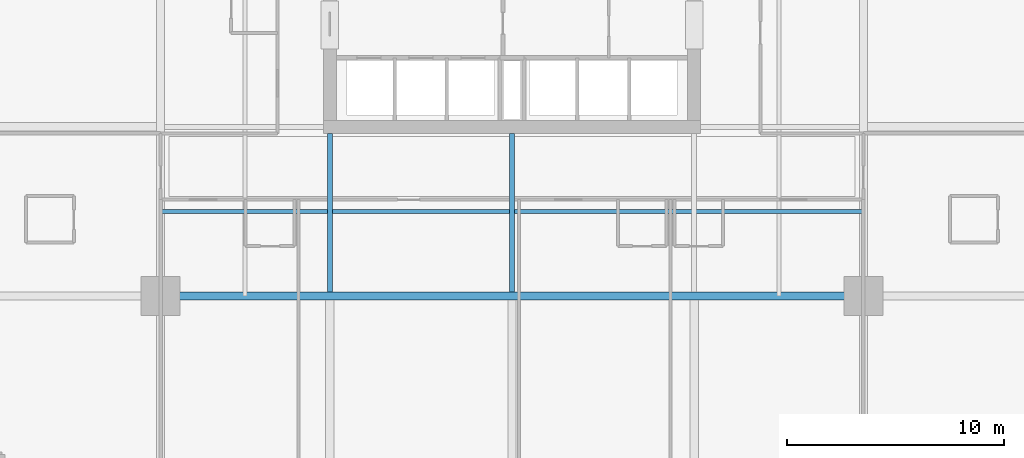
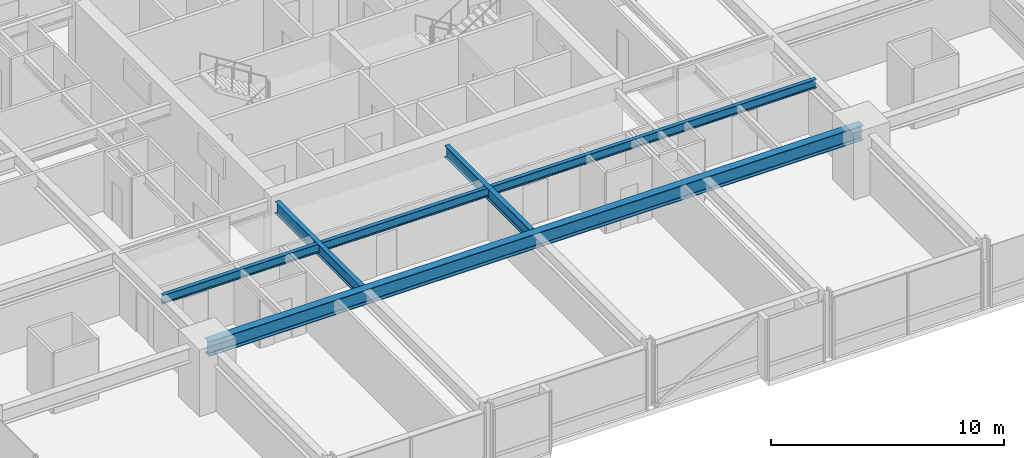
# One storey, part 6 of 37: 4 beams.
"""IFC4 building model written with IfcOpenShell, lengths in metres."""

from ifc_helpers import new_model, si_unit, direction, frame, origin, origin_2d, place, context, subcontext, project, spatial, i_section, extrude, material, material_profile, profile_set, type_object, element, save


model = new_model("IFC4")

# Units and contexts
model_context = context("Model", 3, precision=1e-05, world=origin(), true_north=direction((0.0, 1.0)))
body_context = subcontext(model_context, "Body", "Model", "MODEL_VIEW")
ifc_project = project(units=[si_unit("LENGTHUNIT", "METRE"), si_unit("AREAUNIT", "SQUARE_METRE"), si_unit("VOLUMEUNIT", "CUBIC_METRE"), si_unit("PLANEANGLEUNIT", "RADIAN"), si_unit("MASSUNIT", "GRAM", prefix="KILO")], contexts=[model_context])

# Site, building, storey
site_placement = place(None, origin())
site = spatial("IfcSite", under=ifc_project, at=site_placement, CompositionType="ELEMENT")
building_placement = place(site_placement, origin())
building = spatial("IfcBuilding", under=site, at=building_placement, Name="Drelvath Grand Hotel", CompositionType="ELEMENT")
storey_placement = place(building_placement, frame((0.0, 0.0, 78.699951171875)))
storey = spatial("IfcBuildingStorey", under=building, at=storey_placement, Name="L19", CompositionType="ELEMENT", Elevation=78.699951171875)

# Beams
ifc_material = material(Name="Steel ASTM A992 Gr 50", Category="steel")
ifc_material_profile_1 = material_profile(ifc_material, i_section(OverallWidth=0.19140625, OverallDepth=0.4599609375, WebThickness=0.010009765625, FlangeThickness=0.01611328125, FilletRadius=0.01611328125, at=origin_2d()), Name="W18X55")
ifc_profile_set_1 = profile_set([ifc_material_profile_1], Name="Steel ASTM A992 Gr 50")
beam_type_1 = type_object("IfcBeamType", Name="Composite Floor Joist W18X55", PredefinedType="JOIST", material=ifc_profile_set_1)
beam_1_placement = place(storey_placement, frame((-16.199951171875, 14.699951171875, 2.949951171875), z_axis=(1.0, 0.0, 0.0), x_axis=(0.0, 1.0, 0.0)))
element("IfcBeam", 1, at=beam_1_placement, inside=storey, type_object=beam_type_1, Name="L19 Floor Joist J1", PredefinedType="JOIST", context=body_context, shape_type="SweptSolid", body=[
    extrude(i_section(OverallWidth=0.19140625, OverallDepth=0.4599609375, WebThickness=0.010009765625, FlangeThickness=0.01611328125, FilletRadius=0.01611328125, at=origin_2d()), origin(), (0.0, 0.0, 1.0), 32.39990234375),
])
ifc_material_profile_2 = material_profile(ifc_material, i_section(OverallWidth=0.228271484375, OverallDepth=0.607666015625, WebThickness=0.01123046875, FlangeThickness=0.017333984375, FilletRadius=0.02001953125, at=origin_2d()), Name="W24X76")
ifc_profile_set_2 = profile_set([ifc_material_profile_2], Name="Steel ASTM A992 Gr 50")
beam_type_2 = type_object("IfcBeamType", Name="Primary Floor Girder W24X76", PredefinedType="BEAM", material=ifc_profile_set_2)
for number, where, z_axis, x_axis, name in (
    (2, (-8.39990234375, 10.990234375, 2.876220703125), (0.0, 1.0, 0.0), (-1.0, 0.0, 0.0), "L19 South Core Tie 4"),
    (3, (0.0, 10.990234375, 2.876220703125), (0.0, 1.0, 0.0), (-1.0, 0.0, 0.0), "L19 South Core Tie 5"),
):
    element("IfcBeam", number, at=place(storey_placement, frame(where, z_axis=z_axis, x_axis=x_axis)), inside=storey, type_object=beam_type_2, Name=name, PredefinedType="BEAM", context=body_context, shape_type="SweptSolid", body=[
        extrude(i_section(OverallWidth=0.228271484375, OverallDepth=0.607666015625, WebThickness=0.01123046875, FlangeThickness=0.017333984375, FilletRadius=0.02001953125, at=origin_2d()), origin(), (0.0, 0.0, 1.0), 7.309814453125),
    ])
ifc_material_profile_3 = material_profile(ifc_material, i_section(OverallWidth=0.380615234375, OverallDepth=0.773193359375, WebThickness=0.0166015625, FlangeThickness=0.027099609375, FilletRadius=0.02490234375, at=origin_2d()), Name="W30X173")
ifc_profile_set_3 = profile_set([ifc_material_profile_3], Name="Steel ASTM A992 Gr 50")
beam_type_3 = type_object("IfcBeamType", Name="Primary Floor Girder W30X173", PredefinedType="BEAM", material=ifc_profile_set_3)
beam_2_placement = place(storey_placement, frame((-16.199951171875, 10.800048828125, 2.79345703125), z_axis=(1.0, 0.0, 0.0), x_axis=(0.0, 1.0, 0.0)))
element("IfcBeam", 4, at=beam_2_placement, inside=storey, type_object=beam_type_3, Name="L19 Mega Ring Girder South", PredefinedType="BEAM", context=body_context, shape_type="SweptSolid", body=[
    extrude(i_section(OverallWidth=0.380615234375, OverallDepth=0.773193359375, WebThickness=0.0166015625, FlangeThickness=0.027099609375, FilletRadius=0.02490234375, at=origin_2d()), origin(), (0.0, 0.0, 1.0), 32.39990234375),
])

save(model, "model.ifc")
